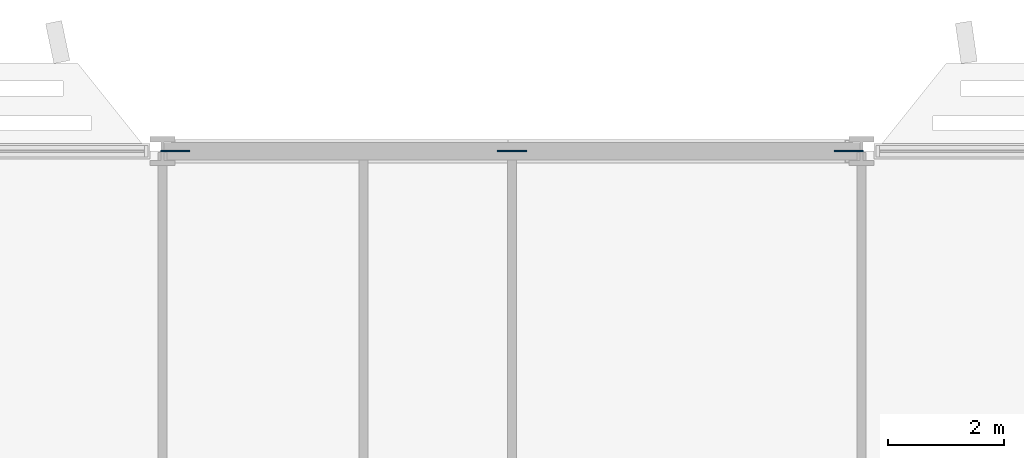
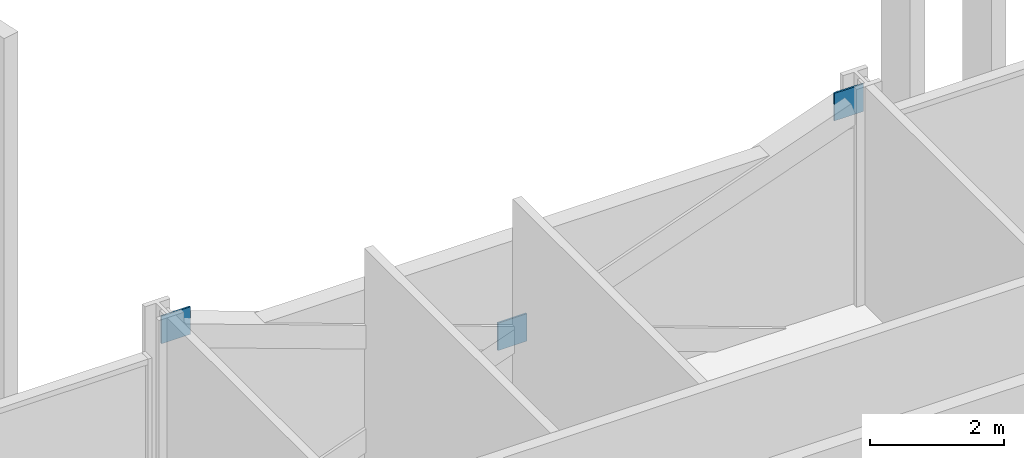
# One storey, part 20 of 31: 3 discrete accessories.
"""IFC4 building model written with IfcOpenShell, lengths in metres."""

import ifcopenshell
import ifcopenshell.guid

model = None  # the IFC model being written
_history = None  # IfcOwnerHistory: only IFC2X3 demands one
_inside = {}  # id of a spatial element -> (the spatial element, [elements in it])
_under = {}  # id of a project, library or spatial element -> (it, [spatial elements below it])
_declared = {}  # id of a project -> (the project, [libraries it declares])
_typed = {}  # id of a type object -> (the type object, [elements of that type])
_made_of = {}  # id of a material, layer set ... -> (it, [elements and type objects made of it])


def new_model(schema):
    """Start an empty IFC model of exactly this schema.

    Asked for "IFC4X3", IfcOpenShell would pick the latest addendum, in which some entities
    have other attributes; the version numbers below select the first issue.
    IFC2X3 requires an IfcOwnerHistory on every rooted entity: one is made here for all.
    """
    global model, _history
    if schema == "IFC4X3":
        model = ifcopenshell.file(schema_version=(4, 3, 0, 0))
    else:
        model = ifcopenshell.file(schema=schema)
    _inside.clear()
    _under.clear()
    _declared.clear()
    _typed.clear()
    _made_of.clear()
    _history = None
    if model.schema == "IFC2X3":
        org = make("IfcOrganization", Name="unknown")
        user = make(
            "IfcPersonAndOrganization",
            ThePerson=make("IfcPerson", FamilyName="unknown"),
            TheOrganization=org,
        )
        app = make(
            "IfcApplication",
            ApplicationDeveloper=org,
            Version="unknown",
            ApplicationFullName="unknown",
            ApplicationIdentifier="unknown",
        )
        _history = make(
            "IfcOwnerHistory",
            OwningUser=user,
            OwningApplication=app,
            ChangeAction="ADDED",
            CreationDate=0,
        )
    return model


def make(cls, **values):
    """One entity of the class cls with the attributes given. An attribute that is None is left unset."""
    return model.create_entity(
        cls, **{name: value for name, value in values.items() if value is not None}
    )


def rooted(cls, **values):
    """An entity with a GlobalId (a new one), such as an element, a storey or a relation."""
    return make(cls, GlobalId=ifcopenshell.guid.new(), OwnerHistory=_history, **values)


def si_unit(unit_type, name, prefix=None):
    """IfcSIUnit, for example si_unit("LENGTHUNIT", "METRE", prefix="MILLI")."""
    return make("IfcSIUnit", UnitType=unit_type, Prefix=prefix, Name=name)


def assignment(units):
    """IfcUnitAssignment: the units of a project."""
    return None if units is None else make("IfcUnitAssignment", Units=units)


def point(xyz):
    """IfcCartesianPoint."""
    return None if xyz is None else make("IfcCartesianPoint", Coordinates=xyz)


def direction(xyz):
    """IfcDirection."""
    return None if xyz is None else make("IfcDirection", DirectionRatios=xyz)


def frame(location, z_axis=None, x_axis=None):
    """IfcAxis2Placement3D, a coordinate frame: its origin and axes. An axis left out is left unset."""
    return make(
        "IfcAxis2Placement3D",
        Location=point(location),
        Axis=direction(z_axis),
        RefDirection=direction(x_axis),
    )


def frame_2d(location, x_axis=None):
    """IfcAxis2Placement2D, a coordinate frame in the plane: its origin and x axis."""
    return make(
        "IfcAxis2Placement2D", Location=point(location), RefDirection=direction(x_axis)
    )


def origin():
    """The frame at (0, 0, 0) with its axes left unset."""
    return frame((0.0, 0.0, 0.0))


def origin_2d():
    """The frame at (0, 0) in the plane with its x axis left unset."""
    return frame_2d((0.0, 0.0))


def place(relative_to, where):
    """IfcLocalPlacement: puts the frame where relative to a parent placement (None: the world)."""
    return make(
        "IfcLocalPlacement", PlacementRelTo=relative_to, RelativePlacement=where
    )


def context(
    kind, dimensions, precision=None, world=None, true_north=None, identifier=None
):
    """IfcGeometricRepresentationContext, for example the 3D "Model" context."""
    return make(
        "IfcGeometricRepresentationContext",
        ContextIdentifier=identifier,
        ContextType=kind,
        CoordinateSpaceDimension=dimensions,
        Precision=precision,
        WorldCoordinateSystem=world,
        TrueNorth=true_north,
    )


def subcontext(parent, identifier, kind, view, scale=None):
    """IfcGeometricRepresentationSubContext, for example "Body" below "Model"."""
    return make(
        "IfcGeometricRepresentationSubContext",
        ContextIdentifier=identifier,
        ContextType=kind,
        ParentContext=parent,
        TargetScale=scale,
        TargetView=view,
    )


def project(units=None, contexts=None):
    """IfcProject with its units and contexts."""
    return rooted(
        "IfcProject",
        Name="project",
        RepresentationContexts=contexts,
        UnitsInContext=assignment(units),
    )


def spatial(cls, under=None, at=None, **own):
    """A site, building, storey or space (cls), placed at a placement, below another one or the project."""
    s = rooted(cls, ObjectPlacement=at, **own)
    if under is not None:
        _under.setdefault(under.id(), (under, []))[1].append(s)
    return s


def profile(cls, at=None, kind="AREA", **sizes):
    """A parametric profile (cls). Its sizes go by their IFC names, for example OverallWidth=200.0."""
    return make(cls, ProfileType=kind, Position=at, **sizes)


def rectangle(**sizes):
    """IfcRectangleProfileDef."""
    return profile("IfcRectangleProfileDef", **sizes)


def extrude(swept, where, along, depth):
    """IfcExtrudedAreaSolid: the profile swept, set in the frame where, extruded along a direction by depth."""
    return make(
        "IfcExtrudedAreaSolid",
        SweptArea=swept,
        Position=where,
        ExtrudedDirection=direction(along),
        Depth=depth,
    )


def shape(context_of_items, identifier, shape_type, items):
    """IfcShapeRepresentation: the items that make up one representation, for example the "Body"."""
    return make(
        "IfcShapeRepresentation",
        ContextOfItems=context_of_items,
        RepresentationIdentifier=identifier,
        RepresentationType=shape_type,
        Items=items,
    )


def material(Name=None, Category=None):
    """IfcMaterial."""
    return make("IfcMaterial", Name=Name, Category=Category)


def layer(
    of_material, thickness, ventilated=None, Name=None, Category=None, Priority=None
):
    """IfcMaterialLayer: one layer of a wall or slab, of a material (None: an air gap)."""
    return make(
        "IfcMaterialLayer",
        Material=of_material,
        LayerThickness=thickness,
        IsVentilated=ventilated,
        Name=Name,
        Category=Category,
        Priority=Priority,
    )


def layer_set(layers, Name=None):
    """IfcMaterialLayerSet."""
    return make("IfcMaterialLayerSet", MaterialLayers=layers, LayerSetName=Name)


def made_of(thing, what):
    """Note that an element or type object is made of a material, layer set ...; save() writes the relation."""
    if what is not None:
        _made_of.setdefault(what.id(), (what, []))[1].append(thing)
    return thing


def type_object(cls, material=None, **own):
    """A type object (cls), such as IfcWallType, which elements share."""
    return made_of(rooted(cls, **own), material)


def element(
    cls,
    number,
    at=None,
    inside=None,
    cuts=None,
    type_object=None,
    material=None,
    context=None,
    identifier="Body",
    shape_type=None,
    held_by="IfcProductDefinitionShape",
    body=None,
    shapes=None,
    **own,
):
    """One element of the class cls, such as IfcWall. Its Tag is "e" and its number.

    at: its placement. inside: the storey or other place that contains it. cuts: it is an
    opening in that element (IfcRelVoidsElement). A single representation is given by context,
    identifier, shape_type and body (its items); several are given by shapes. held_by: the class
    of the entity that holds the representations. save() writes the other relations.
    """
    e = rooted(cls, Tag="e%d" % number, ObjectPlacement=at, **own)
    if body is not None:
        shapes = [shape(context, identifier, shape_type, body)]
    if shapes is not None:
        e.Representation = make(held_by, Representations=shapes)
    if inside is not None:
        _inside.setdefault(inside.id(), (inside, []))[1].append(e)
    if cuts is not None:
        rooted(
            "IfcRelVoidsElement", RelatingBuildingElement=cuts, RelatedOpeningElement=e
        )
    if type_object is not None:
        _typed.setdefault(type_object.id(), (type_object, []))[1].append(e)
    return made_of(e, material)


def aggregate(whole, parts):
    """IfcRelAggregates: a whole, such as a stair, and the parts it consists of."""
    return rooted("IfcRelAggregates", RelatingObject=whole, RelatedObjects=parts)


def save(model, path):
    """Write the relations noted so far, then the file.

    IfcRelAggregates (storeys below a building ...), IfcRelContainedInSpatialStructure (elements
    in a storey), IfcRelDefinesByType, IfcRelAssociatesMaterial and IfcRelDeclares: one each for
    every whole, place, type object, material and project.
    """
    for whole, parts in _under.values():
        aggregate(whole, parts)
    for where, things in _inside.values():
        rooted(
            "IfcRelContainedInSpatialStructure",
            RelatedElements=things,
            RelatingStructure=where,
        )
    for kind, things in _typed.values():
        rooted("IfcRelDefinesByType", RelatedObjects=things, RelatingType=kind)
    for what, things in _made_of.values():
        rooted("IfcRelAssociatesMaterial", RelatedObjects=things, RelatingMaterial=what)
    for by, libraries in _declared.values():
        rooted("IfcRelDeclares", RelatingContext=by, RelatedDefinitions=libraries)
    model.write(path)


model = new_model("IFC4")

# Units and contexts
model_context = context("Model", 3, precision=1e-05, world=origin(), true_north=direction((0.0, 1.0)))
body_context = subcontext(model_context, "Body", "Model", "MODEL_VIEW")
ifc_project = project(units=[si_unit("LENGTHUNIT", "METRE"), si_unit("AREAUNIT", "SQUARE_METRE"), si_unit("VOLUMEUNIT", "CUBIC_METRE"), si_unit("PLANEANGLEUNIT", "RADIAN"), si_unit("MASSUNIT", "GRAM", prefix="KILO")], contexts=[model_context])

# Site, building, storey
site_placement = place(None, origin())
site = spatial("IfcSite", under=ifc_project, at=site_placement, CompositionType="ELEMENT")
building_placement = place(site_placement, origin())
building = spatial("IfcBuilding", under=site, at=building_placement, Name="Mahtab Terrace Research Tower", CompositionType="ELEMENT")
storey_placement = place(building_placement, frame((0.0, 0.0, 11.5)))
storey = spatial("IfcBuildingStorey", under=building, at=storey_placement, Name="L02", CompositionType="ELEMENT", Elevation=11.5)

# Discrete accessories
ifc_material = material(Name="Steel ASTM A992 Gr 50", Category="steel")
ifc_layer = layer(ifc_material, 0.030029296875)
ifc_layer_set = layer_set([ifc_layer], Name="Gusset plate 500x500x30")
discrete_accessory_type = type_object("IfcDiscreteAccessoryType", Name="Gusset plate 500x500x30", PredefinedType="USERDEFINED", material=ifc_layer_set)
for number, where, z_axis, x_axis, name in (
    (1, (-5.7841796875, 23.0, 3.33154296875), (0.0, 0.0, 1.0), (1.0, 0.0, 0.0), "Gusset plate"),
    (2, (0.0, 23.0, 1.181640625), (0.0, 0.0, 1.0), (1.0, 0.0, 0.0), "Gusset plate"),
    (3, (5.7841796875, 23.0, 3.33154296875), (0.0, 0.0, 1.0), (1.0, 0.0, 0.0), "Gusset plate"),
):
    element("IfcDiscreteAccessory", number, at=place(storey_placement, frame(where, z_axis=z_axis, x_axis=x_axis)), inside=storey, type_object=discrete_accessory_type, Name=name, ObjectType="GUSSET PLATE", PredefinedType="USERDEFINED", context=body_context, shape_type="SweptSolid", body=[
        extrude(rectangle(XDim=0.5, YDim=0.030029296875, at=origin_2d()), origin(), (0.0, 0.0, 1.0), 0.5),
    ])

save(model, "model.ifc")
